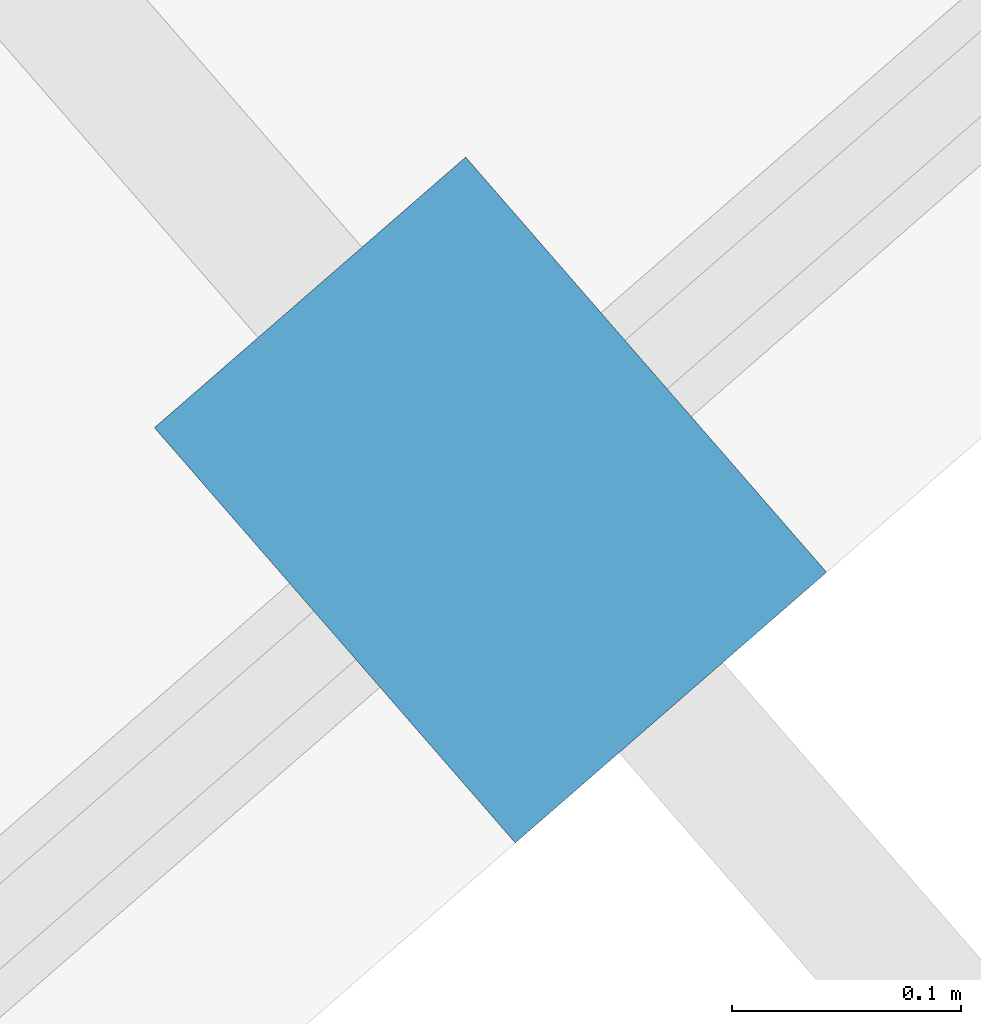
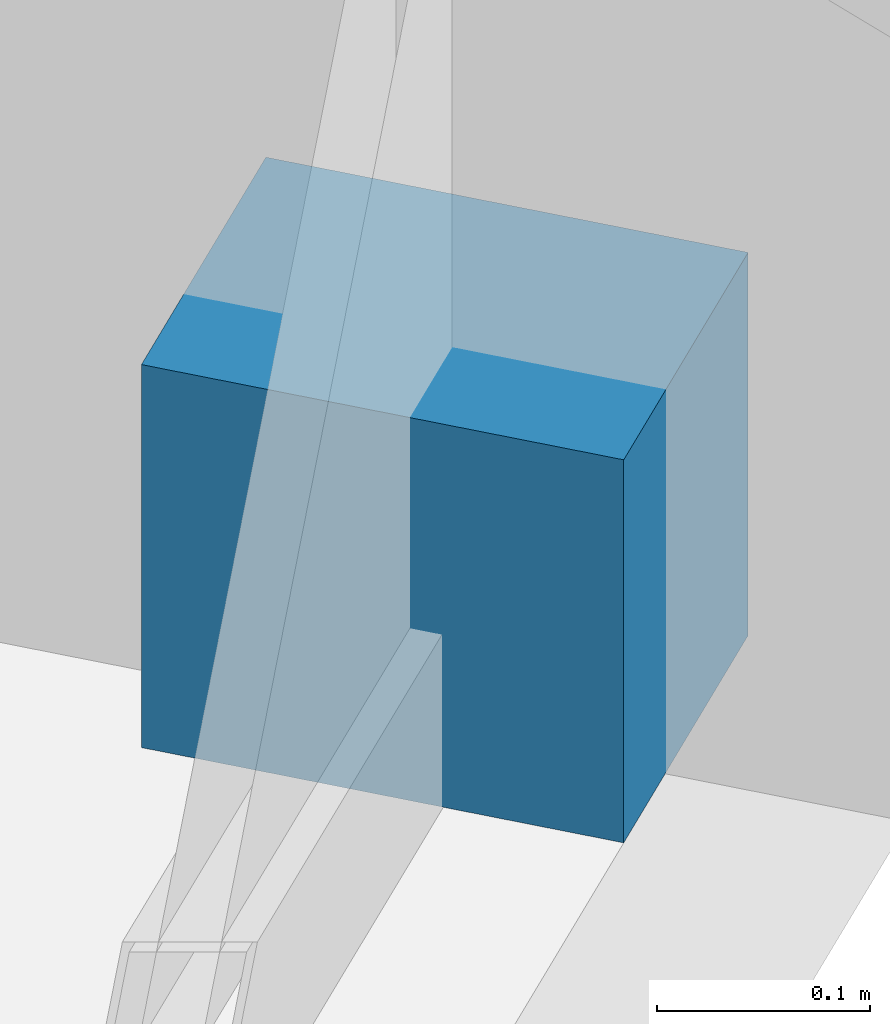
# One storey, part 22 of 25: 1 discrete accessory.
"""IFC4 building model written with IfcOpenShell, lengths in metres."""

from ifc_helpers import new_model, si_unit, direction, frame, origin, origin_2d, place, context, subcontext, project, spatial, rectangle, extrude, material, type_object, element, save


model = new_model("IFC4")

# Units and contexts
model_context = context("Model", 3, precision=1e-05, world=origin(), true_north=direction((0.0, 1.0)))
body_context = subcontext(model_context, "Body", "Model", "MODEL_VIEW")
ifc_project = project(units=[si_unit("LENGTHUNIT", "METRE"), si_unit("AREAUNIT", "SQUARE_METRE"), si_unit("VOLUMEUNIT", "CUBIC_METRE"), si_unit("PLANEANGLEUNIT", "RADIAN"), si_unit("MASSUNIT", "GRAM", prefix="KILO")], contexts=[model_context])

# Site, building, storey
site_placement = place(None, origin())
site = spatial("IfcSite", under=ifc_project, at=site_placement, CompositionType="ELEMENT")
building_placement = place(site_placement, origin())
building = spatial("IfcBuilding", under=site, at=building_placement, Name="Kravanh Interchange Tower", CompositionType="ELEMENT")
storey_placement = place(building_placement, frame((0.0, 0.0, 57.5)))
storey = spatial("IfcBuildingStorey", under=building, at=storey_placement, Name="L13", CompositionType="ELEMENT", Elevation=57.5)

# Discrete accessory
ifc_material = material(Name="Stainless Steel 316", Category="steel")
discrete_accessory_type = type_object("IfcDiscreteAccessoryType", Name="Solar Fin Curtain-Wall Mounting Bracket Stainless 316", PredefinedType="BRACKET", material=ifc_material)
discrete_accessory_placement = place(storey_placement, frame((62.16943359375, 2.328369140625, 0.0), z_axis=(0.0, 0.0, 1.0), x_axis=(0.656067828783, -0.754701930589, 0.0)))
element("IfcDiscreteAccessory", 1, at=discrete_accessory_placement, inside=storey, type_object=discrete_accessory_type, Name="L13 Solar Fin Mounting Bracket 2", PredefinedType="BRACKET", context=body_context, shape_type="SweptSolid", body=[
    extrude(rectangle(XDim=0.239990234375, YDim=0.179931640625, at=origin_2d()), origin(), (0.0, 0.0, 1.0), 0.219970703125),
])

save(model, "model.ifc")
